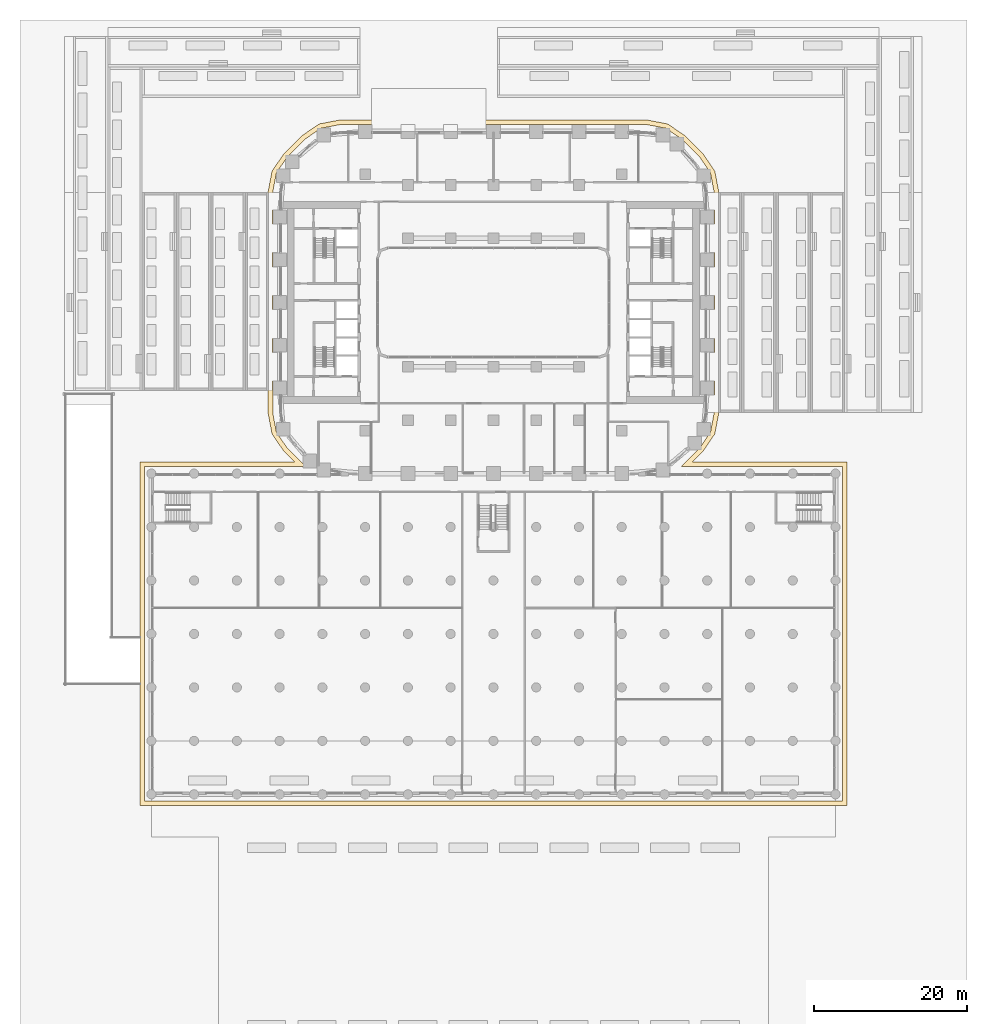
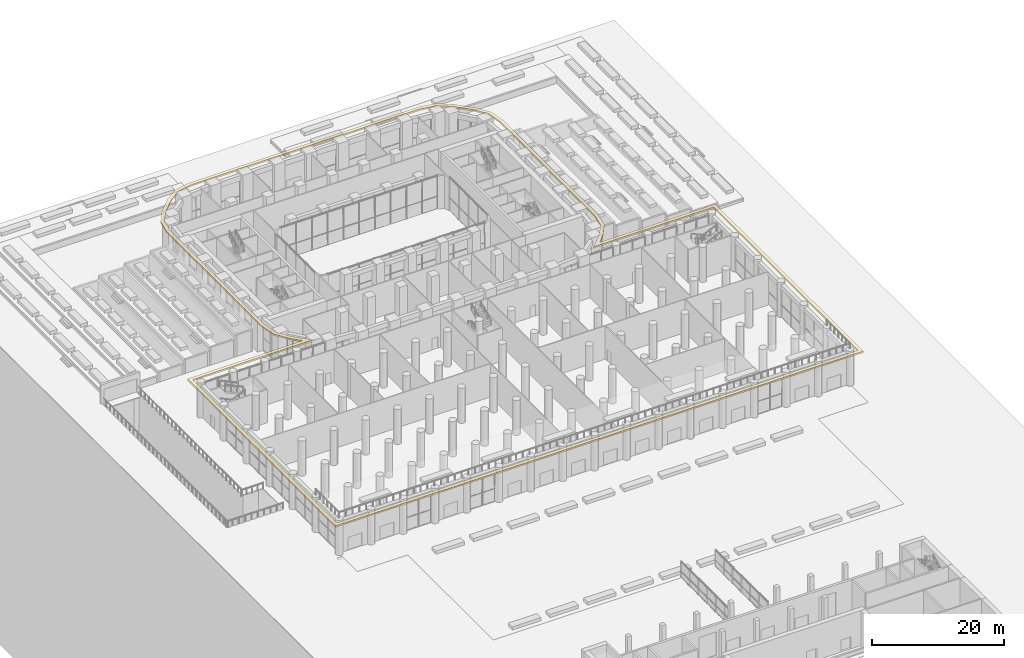
# One storey, part 48 of 51: 1 covering.
"""IFC4 building model written with IfcOpenShell, lengths in metres."""

from ifc_helpers import new_model, si_unit, direction, frame, origin, place, context, subcontext, project, spatial, polyline, outline, extrude, material, layer, layer_set, type_object, element, save


model = new_model("IFC4")

# Units and contexts
model_context = context("Model", 3, precision=1e-05, world=origin(), true_north=direction((0.0, 1.0)))
body_context = subcontext(model_context, "Body", "Model", "MODEL_VIEW")
ifc_project = project(units=[si_unit("LENGTHUNIT", "METRE"), si_unit("AREAUNIT", "SQUARE_METRE"), si_unit("VOLUMEUNIT", "CUBIC_METRE"), si_unit("PLANEANGLEUNIT", "RADIAN"), si_unit("MASSUNIT", "GRAM", prefix="KILO")], contexts=[model_context])

# Site, building, storey
site_placement = place(None, origin())
site = spatial("IfcSite", under=ifc_project, at=site_placement, CompositionType="ELEMENT")
building_placement = place(site_placement, origin())
building = spatial("IfcBuilding", under=site, at=building_placement, Name="Kiln Ring Residences", CompositionType="ELEMENT")
storey_placement = place(building_placement, origin())
storey = spatial("IfcBuildingStorey", under=building, at=storey_placement, Name="L00", CompositionType="ELEMENT", Elevation=0.0)

# Covering
ifc_material = material(Name="Black powder-coated steel", Category="steel")
ifc_layer = layer(ifc_material, 0.300048828125)
ifc_layer_set = layer_set([ifc_layer], Name="SUNSHADE FIN 600")
covering_type = type_object("IfcCoveringType", Name="SUNSHADE FIN 600", PredefinedType="CLADDING", material=ifc_layer_set)
covering_placement = place(storey_placement, frame((0.0, 0.0, 6.199951171875)))
element("IfcCovering", 1, at=covering_placement, inside=storey, type_object=covering_type, Name="SUNSHADE FIN L00", PredefinedType="CLADDING", context=body_context, shape_type="SweptSolid", body=[
    extrude(outline(polyline([(-27.4638671875, -19.45751953125), (-26.021240234375, -20.89990234375), (-46.300048828125, -20.89990234375), (-46.300048828125, -65.89990234375), (46.300048828125, -65.89990234375), (46.300048828125, -20.89990234375), (26.021240234375, -20.89990234375), (27.4638671875, -19.45751953125), (28.990966796875, -17.21044921875), (29.5, -14.541748046875), (29.5, 14.541748046875), (28.990966796875, 17.21044921875), (27.4638671875, 19.45751953125), (25.0576171875, 21.864013671875), (22.810546875, 23.39111328125), (20.141845703125, 23.89990234375), (-20.141845703125, 23.89990234375), (-22.810546875, 23.39111328125), (-25.0576171875, 21.864013671875), (-27.4638671875, 19.45751953125), (-28.990966796875, 17.21044921875), (-29.5, 14.541748046875), (-29.5, -14.541748046875), (-28.990966796875, -17.21044921875), (-27.4638671875, -19.45751953125)]), holes=[polyline([(-45.699951171875, -21.5), (-24.525390625, -21.5), (-24.67333984375, -21.3994140625), (-26.99951171875, -19.0732421875), (-28.4248046875, -16.97607421875), (-28.89990234375, -14.485107421875), (-28.89990234375, 14.485107421875), (-28.4248046875, 16.97607421875), (-26.99951171875, 19.0732421875), (-24.67333984375, 21.3994140625), (-22.575927734375, 22.824951171875), (-20.085205078125, 23.300048828125), (20.085205078125, 23.300048828125), (22.575927734375, 22.824951171875), (24.67333984375, 21.3994140625), (26.99951171875, 19.0732421875), (28.4248046875, 16.97607421875), (28.89990234375, 14.485107421875), (28.89990234375, -14.485107421875), (28.4248046875, -16.97607421875), (26.99951171875, -19.0732421875), (24.67333984375, -21.3994140625), (24.525390625, -21.5), (45.699951171875, -21.5), (45.699951171875, -65.300048828125), (-45.699951171875, -65.300048828125), (-45.699951171875, -21.5)])]), origin(), (0.0, 0.0, 1.0), 0.300048828125),
])

save(model, "model.ifc")
